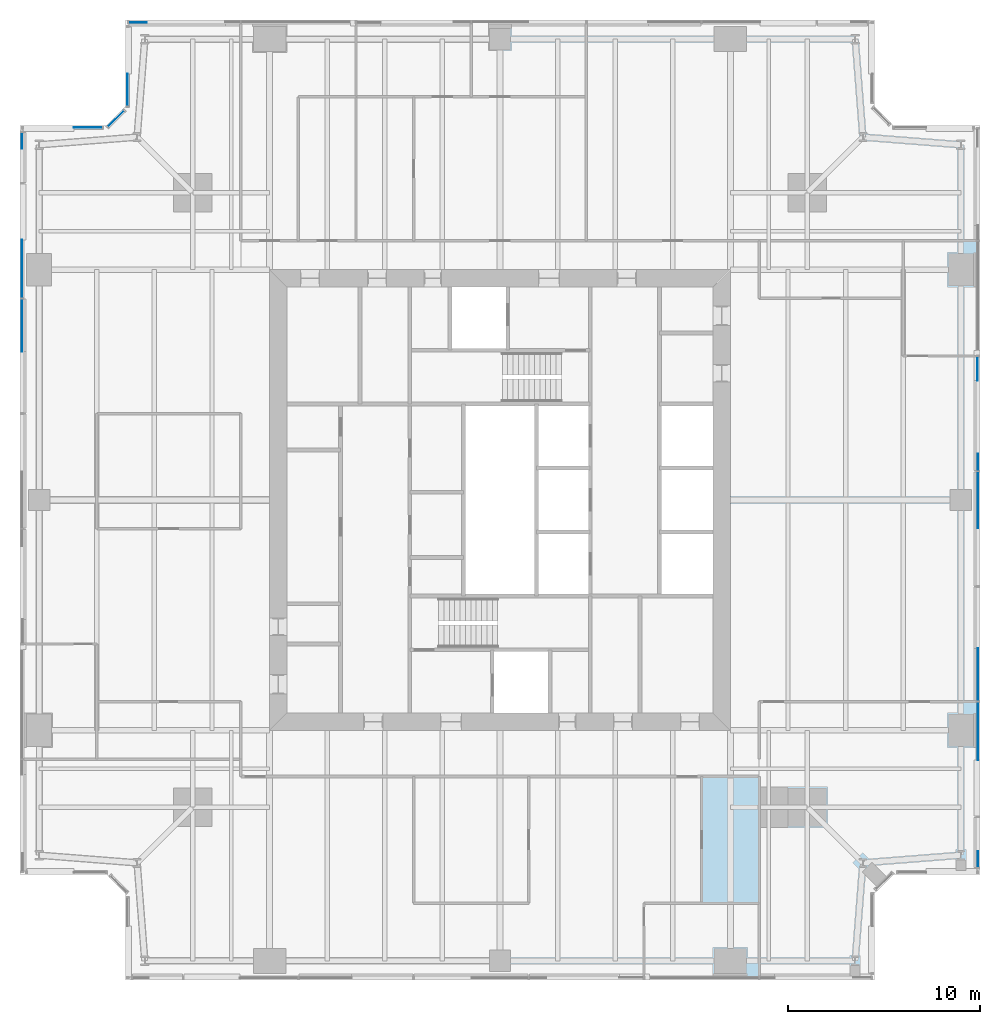
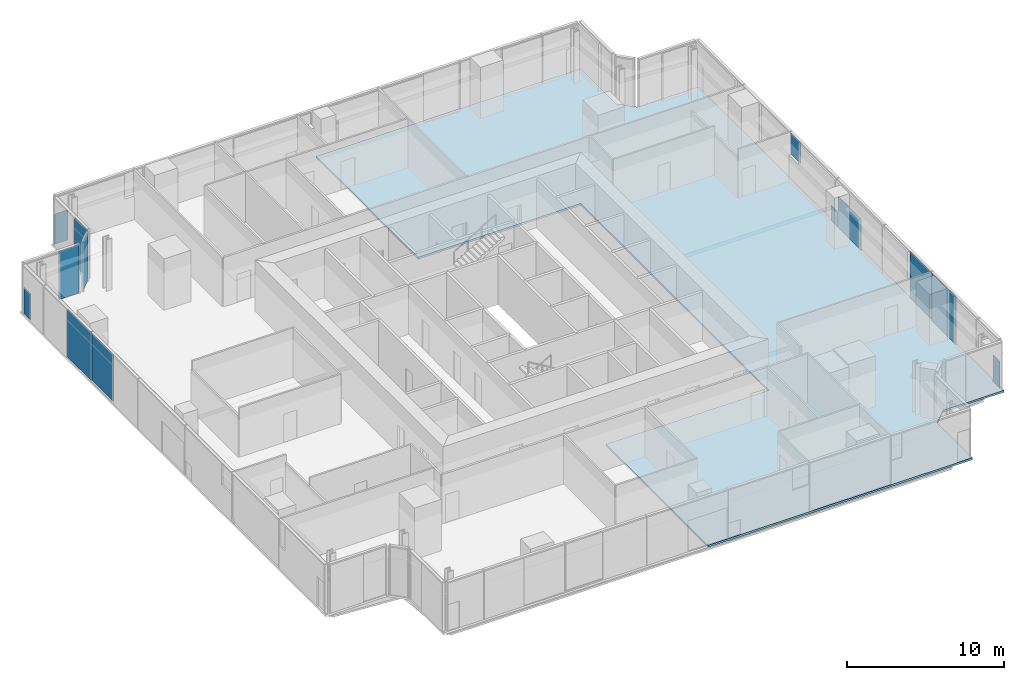
# One storey, part 9 of 15: 13 plates, 1 slab, 6 elements without a shape of their own.
"""IFC4 building model written with IfcOpenShell, lengths in metres."""

from ifc_helpers import new_model, si_unit, direction, frame, origin, origin_2d, place, context, subcontext, project, spatial, polyline, rectangle, outline, extrude, material, layer, layer_set, type_object, element, aggregate, save


model = new_model("IFC4")

# Units and contexts
model_context = context("Model", 3, precision=1e-05, world=origin(), true_north=direction((0.0, 1.0)))
body_context = subcontext(model_context, "Body", "Model", "MODEL_VIEW")
ifc_project = project(units=[si_unit("LENGTHUNIT", "METRE"), si_unit("AREAUNIT", "SQUARE_METRE"), si_unit("VOLUMEUNIT", "CUBIC_METRE"), si_unit("PLANEANGLEUNIT", "RADIAN"), si_unit("MASSUNIT", "GRAM", prefix="KILO")], contexts=[model_context])

# Site, building, storey
site_placement = place(None, origin())
site = spatial("IfcSite", under=ifc_project, at=site_placement, CompositionType="ELEMENT")
building_placement = place(site_placement, origin())
building = spatial("IfcBuilding", under=site, at=building_placement, Name="Fenwick Lantern Interchange", CompositionType="ELEMENT")
storey_placement = place(building_placement, frame((0.0, 0.0, 209.800048828125)))
storey = spatial("IfcBuildingStorey", under=building, at=storey_placement, Name="L49", CompositionType="ELEMENT", Elevation=209.800048828125)

# Slab
ifc_material_1 = material(Name="Concrete f'c 35 MPa", Category="concrete")
ifc_layer_1 = layer(ifc_material_1, 0.14990234375)
ifc_layer_set_1 = layer_set([ifc_layer_1], Name="Concrete f'c 35 MPa")
slab_type = type_object("IfcSlabType", Name="FLOOR SLAB 150", PredefinedType="FLOOR", material=ifc_layer_set_1)
slab_placement = place(storey_placement, frame((0.0, 0.0, -0.150146484375)))
element("IfcSlab", 1, at=slab_placement, inside=storey, type_object=slab_type, Name="L49/SLAB/FE", PredefinedType="FLOOR", context=body_context, shape_type="SweptSolid", body=[
    extrude(outline(polyline([(44.5, 50.0), (44.5, 45.5), (45.5, 44.5), (50.0, 44.5), (50.0, 5.5), (45.5, 5.5), (44.5, 4.5), (44.5, 0.0), (25.0, 0.0), (25.0, 13.0), (37.0, 13.0), (37.0, 37.0), (25.0, 37.0), (25.0, 50.0), (44.5, 50.0)])), origin(), (0.0, 0.0, 1.0), 0.150146484375),
])

# Curtain wall, plates
ifc_material_2 = material(Name="Aluminium curtain wall frame", Category="aluminium")
curtain_wall_type = type_object("IfcCurtainWallType", Name="OFFICE CURTAIN WALL", PredefinedType="USERDEFINED", material=ifc_material_2)
curtain_wall_1_placement = place(storey_placement, origin())
curtain_wall_1 = element("IfcCurtainWall", 2, at=curtain_wall_1_placement, inside=storey, type_object=curtain_wall_type, Name="Office curtain wall 05", ObjectType="OFFICE CURTAIN WALL", PredefinedType="USERDEFINED")
ifc_material_3 = material(Name="Vision glass, clear low-iron double glazed", Category="glass")
ifc_layer_2 = layer(ifc_material_3, 0.031982421875)
ifc_layer_set_2 = layer_set([ifc_layer_2], Name="OFFICE CURTAIN WALL PANEL 32")
plate_type = type_object("IfcPlateType", Name="OFFICE CURTAIN WALL PANEL 32", PredefinedType="CURTAIN_PANEL", material=ifc_layer_set_2)
plate_1_placement = place(storey_placement, frame((49.89990234375, 5.60009765625, 0.0), z_axis=(0.0, 0.0, 1.0), x_axis=(0.0, 1.0, 0.0)))
plate_1 = element("IfcPlate", 3, at=plate_1_placement, type_object=plate_type, Name="L49/CW/05/P00a", PredefinedType="CURTAIN_PANEL", context=body_context, shape_type="SweptSolid", body=[
    extrude(outline(polyline([(0.264892578125, 0.0), (1.114990234375, 0.0), (1.114990234375, 2.082275390625), (0.264892578125, 2.082275390625), (0.264892578125, 0.0)])), frame((0.0, 0.01611328125, 0.0), z_axis=(0.0, -1.0, 0.0), x_axis=(1.0, 0.0, 0.0)), (0.0, 0.0, 1.0), 0.031982421875),
])
plate_2_placement = place(storey_placement, frame((49.89990234375, 5.60009765625, 0.0), z_axis=(0.0, 0.0, 1.0), x_axis=(0.0, 1.0, 0.0)))
plate_2 = element("IfcPlate", 4, at=plate_2_placement, type_object=plate_type, Name="L49/CW/05/P01a", PredefinedType="CURTAIN_PANEL", context=body_context, shape_type="SweptSolid", body=[
    extrude(outline(polyline([(5.84814453125, 0.0), (8.867431640625, 0.0), (8.867431640625, 3.75), (5.84814453125, 3.75), (5.84814453125, 0.0)])), frame((0.0, 0.01611328125, 0.0), z_axis=(0.0, -1.0, 0.0), x_axis=(1.0, 0.0, 0.0)), (0.0, 0.0, 1.0), 0.031982421875),
])
plate_3_placement = place(storey_placement, frame((49.89990234375, 5.60009765625, 0.090576171875), z_axis=(0.0, 0.0, 1.0), x_axis=(0.0, 1.0, 0.0)))
plate_3 = element("IfcPlate", 5, at=plate_3_placement, type_object=plate_type, Name="L49/CW/05/P02a", PredefinedType="CURTAIN_PANEL", context=body_context, shape_type="SweptSolid", body=[
    extrude(outline(polyline([(8.9326171875, 0.0), (11.672607421875, 0.0), (11.672607421875, 3.659423828125), (8.9326171875, 3.659423828125), (8.9326171875, 0.0)])), frame((0.0, 0.01611328125, 0.0), z_axis=(0.0, -1.0, 0.0), x_axis=(1.0, 0.0, 0.0)), (0.0, 0.0, 1.0), 0.031982421875),
])
plate_4_placement = place(storey_placement, frame((49.89990234375, 5.60009765625, 0.0), z_axis=(0.0, 0.0, 1.0), x_axis=(0.0, 1.0, 0.0)))
plate_4 = element("IfcPlate", 6, at=plate_4_placement, type_object=plate_type, Name="L49/CW/05/P03a", PredefinedType="CURTAIN_PANEL", context=body_context, shape_type="SweptSolid", body=[
    extrude(outline(polyline([(17.9345703125, 0.0), (20.864501953125, 0.0), (20.864501953125, 2.43994140625), (17.9345703125, 2.43994140625), (17.9345703125, 0.0)])), frame((0.0, 0.01611328125, 0.0), z_axis=(0.0, -1.0, 0.0), x_axis=(1.0, 0.0, 0.0)), (0.0, 0.0, 1.0), 0.031982421875),
])
plate_5_placement = place(storey_placement, frame((49.89990234375, 5.60009765625, 0.0), z_axis=(0.0, 0.0, 1.0), x_axis=(0.0, 1.0, 0.0)))
plate_5 = element("IfcPlate", 7, at=plate_5_placement, type_object=plate_type, Name="L49/CW/05/P04a", PredefinedType="CURTAIN_PANEL", context=body_context, shape_type="SweptSolid", body=[
    extrude(outline(polyline([(20.9326171875, 0.0), (21.8125, 0.0), (21.8125, 1.17724609375), (20.9326171875, 1.17724609375), (20.9326171875, 0.0)])), frame((0.0, 0.01611328125, 0.0), z_axis=(0.0, -1.0, 0.0), x_axis=(1.0, 0.0, 0.0)), (0.0, 0.0, 1.0), 0.031982421875),
])
plate_6_placement = place(storey_placement, frame((49.89990234375, 5.60009765625, 2.0966796875), z_axis=(0.0, 0.0, 1.0), x_axis=(0.0, 1.0, 0.0)))
plate_6 = element("IfcPlate", 8, at=plate_6_placement, type_object=plate_type, Name="L49/CW/05/P04b", PredefinedType="CURTAIN_PANEL", context=body_context, shape_type="SweptSolid", body=[
    extrude(outline(polyline([(25.623046875, 0.0), (26.867431640625, 0.0), (26.867431640625, 1.6533203125), (25.623046875, 1.6533203125), (25.623046875, 0.0)])), frame((0.0, 0.0498046875, 0.0), z_axis=(0.0, -1.0, 0.0), x_axis=(1.0, 0.0, 0.0)), (0.0, 0.0, 1.0), 0.031982421875),
])
aggregate(curtain_wall_1, [plate_1, plate_2, plate_3, plate_4, plate_5, plate_6])

# Curtain wall, plate
curtain_wall_2_placement = place(storey_placement, origin())
curtain_wall_2 = element("IfcCurtainWall", 9, at=curtain_wall_2_placement, inside=storey, type_object=curtain_wall_type, Name="Office curtain wall 09", ObjectType="OFFICE CURTAIN WALL", PredefinedType="USERDEFINED")
plate_7_placement = place(storey_placement, frame((44.39990234375, 49.89990234375, 0.0), z_axis=(0.0, 0.0, 1.0), x_axis=(-1.0, 0.0, 0.0)))
plate_7 = element("IfcPlate", 10, at=plate_7_placement, type_object=plate_type, Name="L49/CW/09/P06b", PredefinedType="CURTAIN_PANEL", context=body_context, shape_type="SweptSolid", body=[
    extrude(outline(polyline([(37.7890625, 0.0), (38.735107421875, 0.0), (38.735107421875, 2.33837890625), (37.7890625, 2.33837890625), (37.7890625, 0.0)])), frame((0.0, 0.0498046875, 0.0), z_axis=(0.0, -1.0, 0.0), x_axis=(1.0, 0.0, 0.0)), (0.0, 0.0, 1.0), 0.031982421875),
])
aggregate(curtain_wall_2, [plate_7])

curtain_wall_3_placement = place(storey_placement, origin())
curtain_wall_3 = element("IfcCurtainWall", 11, at=curtain_wall_3_placement, inside=storey, type_object=curtain_wall_type, Name="Office curtain wall 10", ObjectType="OFFICE CURTAIN WALL", PredefinedType="USERDEFINED")
plate_8_placement = place(storey_placement, frame((5.60009765625, 49.89990234375, 0.0), z_axis=(0.0, 0.0, 1.0), x_axis=(0.0, -1.0, 0.0)))
plate_8 = element("IfcPlate", 12, at=plate_8_placement, type_object=plate_type, Name="L49/CW/10/P00a", PredefinedType="CURTAIN_PANEL", context=body_context, shape_type="SweptSolid", body=[
    extrude(outline(polyline([(2.699951171875, 0.0), (4.37646484375, 0.0), (4.37646484375, 3.75), (2.699951171875, 3.75), (2.699951171875, 0.0)])), frame((0.0, 0.01611328125, 0.0), z_axis=(0.0, -1.0, 0.0), x_axis=(1.0, 0.0, 0.0)), (0.0, 0.0, 1.0), 0.031982421875),
])
aggregate(curtain_wall_3, [plate_8])

curtain_wall_4_placement = place(storey_placement, origin())
curtain_wall_4 = element("IfcCurtainWall", 13, at=curtain_wall_4_placement, inside=storey, type_object=curtain_wall_type, Name="Office curtain wall 11", ObjectType="OFFICE CURTAIN WALL", PredefinedType="USERDEFINED")
plate_9_placement = place(storey_placement, frame((5.0, 44.858642578125, 0.0), z_axis=(0.0, 0.0, 1.0), x_axis=(-0.707106781187, -0.707106781187, 0.0)))
plate_9 = element("IfcPlate", 14, at=plate_9_placement, type_object=plate_type, Name="L49/CW/11/P00", PredefinedType="CURTAIN_PANEL", context=body_context, shape_type="SweptSolid", body=[
    extrude(rectangle(XDim=1.1669921875, YDim=0.031982421875, at=origin_2d()), origin(), (0.0, 0.0, 1.0), 3.75),
])
aggregate(curtain_wall_4, [plate_9])

curtain_wall_5_placement = place(storey_placement, origin())
curtain_wall_5 = element("IfcCurtainWall", 15, at=curtain_wall_5_placement, inside=storey, type_object=curtain_wall_type, Name="Office curtain wall 12", ObjectType="OFFICE CURTAIN WALL", PredefinedType="USERDEFINED")
plate_10_placement = place(storey_placement, frame((4.54150390625, 44.39990234375, 0.0), z_axis=(0.0, 0.0, 1.0), x_axis=(-1.0, 0.0, 0.0)))
plate_10 = element("IfcPlate", 16, at=plate_10_placement, type_object=plate_type, Name="L49/CW/12/P00a", PredefinedType="CURTAIN_PANEL", context=body_context, shape_type="SweptSolid", body=[
    extrude(outline(polyline([(0.264892578125, 0.0), (1.741455078125, 0.0), (1.741455078125, 3.75), (0.264892578125, 3.75), (0.264892578125, 0.0)])), frame((0.0, 0.01611328125, 0.0), z_axis=(0.0, -1.0, 0.0), x_axis=(1.0, 0.0, 0.0)), (0.0, 0.0, 1.0), 0.031982421875),
])
aggregate(curtain_wall_5, [plate_10])

# Curtain wall, plates
curtain_wall_6_placement = place(storey_placement, origin())
curtain_wall_6 = element("IfcCurtainWall", 17, at=curtain_wall_6_placement, inside=storey, type_object=curtain_wall_type, Name="Office curtain wall 13", ObjectType="OFFICE CURTAIN WALL", PredefinedType="USERDEFINED")
plate_11_placement = place(storey_placement, frame((0.10009765625, 44.39990234375, 0.0), z_axis=(0.0, 0.0, 1.0), x_axis=(0.0, -1.0, 0.0)))
plate_11 = element("IfcPlate", 18, at=plate_11_placement, type_object=plate_type, Name="L49/CW/13/P00a", PredefinedType="CURTAIN_PANEL", context=body_context, shape_type="SweptSolid", body=[
    extrude(outline(polyline([(0.264892578125, 0.0), (1.114990234375, 0.0), (1.114990234375, 2.082275390625), (0.264892578125, 2.082275390625), (0.264892578125, 0.0)])), frame((0.0, 0.01611328125, 0.0), z_axis=(0.0, -1.0, 0.0), x_axis=(1.0, 0.0, 0.0)), (0.0, 0.0, 1.0), 0.031982421875),
])
plate_12_placement = place(storey_placement, frame((0.10009765625, 44.39990234375, 0.0), z_axis=(0.0, 0.0, 1.0), x_axis=(0.0, -1.0, 0.0)))
plate_12 = element("IfcPlate", 19, at=plate_12_placement, type_object=plate_type, Name="L49/CW/13/P01a", PredefinedType="CURTAIN_PANEL", context=body_context, shape_type="SweptSolid", body=[
    extrude(outline(polyline([(5.84814453125, 0.0), (8.867431640625, 0.0), (8.867431640625, 3.75), (5.84814453125, 3.75), (5.84814453125, 0.0)])), frame((0.0, 0.01611328125, 0.0), z_axis=(0.0, -1.0, 0.0), x_axis=(1.0, 0.0, 0.0)), (0.0, 0.0, 1.0), 0.031982421875),
])
plate_13_placement = place(storey_placement, frame((0.10009765625, 44.39990234375, 0.090576171875), z_axis=(0.0, 0.0, 1.0), x_axis=(0.0, -1.0, 0.0)))
plate_13 = element("IfcPlate", 20, at=plate_13_placement, type_object=plate_type, Name="L49/CW/13/P02a", PredefinedType="CURTAIN_PANEL", context=body_context, shape_type="SweptSolid", body=[
    extrude(outline(polyline([(8.9326171875, 0.0), (11.672607421875, 0.0), (11.672607421875, 3.659423828125), (8.9326171875, 3.659423828125), (8.9326171875, 0.0)])), frame((0.0, 0.01611328125, 0.0), z_axis=(0.0, -1.0, 0.0), x_axis=(1.0, 0.0, 0.0)), (0.0, 0.0, 1.0), 0.031982421875),
])
aggregate(curtain_wall_6, [plate_11, plate_12, plate_13])

save(model, "model.ifc")
